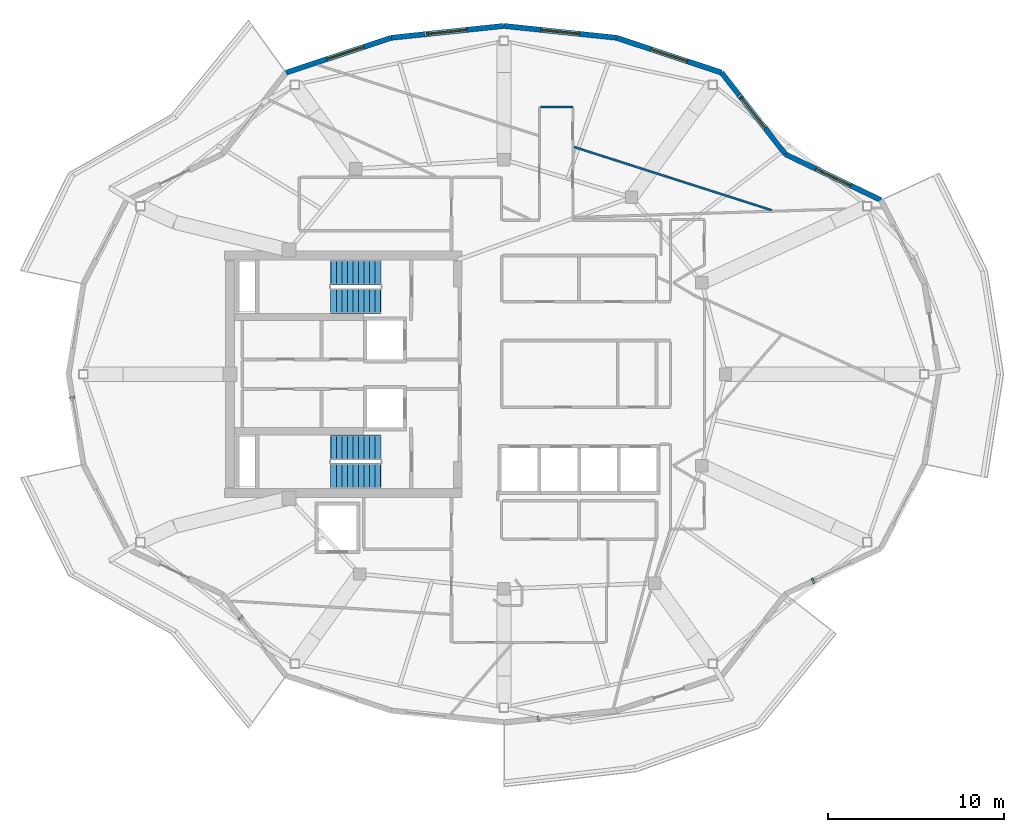
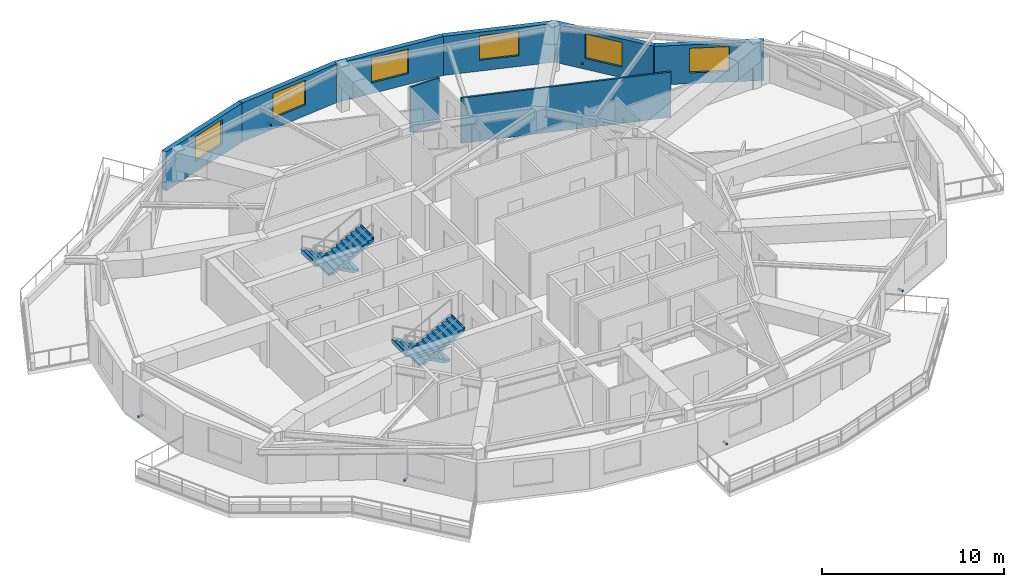
# One storey, part 7 of 11: 8 walls, 6 discrete accessories, 6 windows, 4 stair flights, 6 openings, 2 elements without a shape of their own.
"""IFC4 building model written with IfcOpenShell, lengths in metres."""

from ifc_helpers import new_model, si_unit, direction, frame, frame_2d, origin, origin_2d, place, context, subcontext, project, spatial, polyline, rectangle, outline, extrude, material, layer, layer_set, type_object, element, fill, aggregate, save


model = new_model("IFC4")

# Units and contexts
model_context = context("Model", 3, precision=1e-05, world=origin(), true_north=direction((0.0, 1.0)))
body_context = subcontext(model_context, "Body", "Model", "MODEL_VIEW")
ifc_project = project(units=[si_unit("LENGTHUNIT", "METRE"), si_unit("AREAUNIT", "SQUARE_METRE"), si_unit("VOLUMEUNIT", "CUBIC_METRE"), si_unit("PLANEANGLEUNIT", "RADIAN"), si_unit("MASSUNIT", "GRAM", prefix="KILO")], contexts=[model_context])

# Site, building, storey
site_placement = place(None, origin())
site = spatial("IfcSite", under=ifc_project, at=site_placement, CompositionType="ELEMENT")
building_placement = place(site_placement, origin())
building = spatial("IfcBuilding", under=site, at=building_placement, Name="Kolvaren Gate Tower and Convention Centre", CompositionType="ELEMENT")
storey_placement = place(building_placement, frame((0.0, 0.0, 236.0)))
storey = spatial("IfcBuildingStorey", under=building, at=storey_placement, Name="L63", CompositionType="ELEMENT", Elevation=236.0)

# Walls
ifc_material_1 = material(Name="Fire-Rated Acoustic Gypsum Stud Partition", Category="gypsum")
ifc_layer_1 = layer(ifc_material_1, 0.1201171875)
ifc_layer_set_1 = layer_set([ifc_layer_1], Name="Fire-Rated Acoustic Gypsum Stud Partition")
wall_type_1 = type_object("IfcWallType", Name="ARCH-WL-PART-120", PredefinedType="PARTITIONING", material=ifc_layer_set_1)
wall_1_placement = place(storey_placement, frame((32.2119140625, 42.199951171875, 0.0), z_axis=(0.0, 0.0, 1.0), x_axis=(1.0, 0.0, 0.0)))
element("IfcWall", 1, at=wall_1_placement, inside=storey, type_object=wall_type_1, Name="Interior Partition WL-L63-INT-035", PredefinedType="PARTITIONING", context=body_context, shape_type="SweptSolid", body=[
    extrude(rectangle(XDim=1.838134765625, YDim=0.1201171875, at=frame_2d((0.9189453125, 0.0))), origin(), (0.0, 0.0, 1.0), 3.030029296875),
])
wall_2_placement = place(storey_placement, frame((34.112060546875, 39.918212890625, 0.0), z_axis=(0.0, 0.0, 1.0), x_axis=(0.95242438762, -0.304774975789, 0.0)))
element("IfcWall", 2, at=wall_2_placement, inside=storey, type_object=wall_type_1, Name="Interior Partition WL-L63-INT-074", PredefinedType="PARTITIONING", context=body_context, shape_type="SweptSolid", body=[
    extrude(rectangle(XDim=11.790771484375, YDim=0.1201171875, at=frame_2d((5.8955078125, 0.0))), origin(), (0.0, 0.0, 1.0), 3.030029296875),
])

# Wall, opening, window
ifc_material_2 = material(Name="Piedmont Cream Honed Limestone Cladding", Category="masonry")
ifc_layer_2 = layer(ifc_material_2, 0.300048828125)
ifc_layer_set_2 = layer_set([ifc_layer_2], Name="Piedmont Cream Honed Limestone Cladding")
wall_type_2 = type_object("IfcWallType", Name="ARCH-WL-STONE-300", PredefinedType="SOLIDWALL", material=ifc_layer_set_2)
wall_3_placement = place(storey_placement, frame((46.132568359375, 39.50732421875, 0.0), z_axis=(0.0, 0.0, 1.0), x_axis=(0.901348331142, -0.433094892545, 0.0)))
wall_3 = element("IfcWall", 3, at=wall_3_placement, inside=storey, type_object=wall_type_2, Name="Tower L63 Honed Stone Spandrel Wall EW-02", PredefinedType="SOLIDWALL", context=body_context, shape_type="SweptSolid", body=[
    extrude(rectangle(XDim=6.0205078125, YDim=0.300048828125, at=frame_2d((3.01025390625, 0.0))), origin(), (0.0, 0.0, 1.0), 2.60498046875),
])
opening_1_placement = place(wall_3_placement, frame((1.909912109375, 0.0, 0.719970703125)))
opening_1 = element("IfcOpeningElement", 4, at=opening_1_placement, cuts=wall_3, Name="Opening W-03", PredefinedType="OPENING", context=body_context, shape_type="SweptSolid", body=[
    extrude(rectangle(XDim=2.199951171875, YDim=1.64990234375, at=frame_2d((1.10009765625, 0.824951171875))), frame((0.0, 0.159912109375, 0.0), z_axis=(0.0, -1.0, 0.0), x_axis=(1.0, 0.0, 0.0)), (0.0, 0.0, 1.0), 0.320068359375),
])
ifc_material_3 = material(Name="Low-E Triple Insulated Glazing Unit 44 mm", Category="glass")
window_type = type_object("IfcWindowType", Name="ARCH-WN-RES-2200", PartitioningType="SINGLE_PANEL", PredefinedType="WINDOW", material=ifc_material_3)
window_1_placement = place(opening_1_placement, origin())
window_1 = element("IfcWindow", 5, at=window_1_placement, inside=storey, type_object=window_type, Name="Tower L63 Punched Stone Facade Window W-02", OverallHeight=1.64990234375, OverallWidth=2.199951171875, PartitioningType="SINGLE_PANEL", PredefinedType="WINDOW", context=body_context, shape_type="SweptSolid", body=[
    extrude(rectangle(XDim=2.199951171875, YDim=1.64990234375, at=frame_2d((1.10009765625, 0.824951171875))), frame((0.0, 0.030029296875, 0.0), z_axis=(0.0, -1.0, 0.0), x_axis=(1.0, 0.0, 0.0)), (0.0, 0.0, 1.0), 0.06005859375),
])
fill(opening_1, window_1)

wall_4_placement = place(storey_placement, frame((42.5, 44.147216796875, 0.0), z_axis=(0.0, 0.0, 1.0), x_axis=(0.616450126935, -0.787393955401, 0.0)))
wall_4 = element("IfcWall", 6, at=wall_4_placement, inside=storey, type_object=wall_type_2, Name="Tower L63 Honed Stone Spandrel Wall EW-03", PredefinedType="SOLIDWALL", context=body_context, shape_type="SweptSolid", body=[
    extrude(rectangle(XDim=5.892822265625, YDim=0.300048828125, at=frame_2d((2.9462890625, 0.0))), origin(), (0.0, 0.0, 1.0), 2.60498046875),
])
opening_2_placement = place(wall_4_placement, frame((1.845947265625, 0.0, 0.719970703125)))
opening_2 = element("IfcOpeningElement", 7, at=opening_2_placement, cuts=wall_4, Name="Opening W-03", PredefinedType="OPENING", context=body_context, shape_type="SweptSolid", body=[
    extrude(rectangle(XDim=2.199951171875, YDim=1.64990234375, at=frame_2d((1.10009765625, 0.824951171875))), frame((0.0, 0.159912109375, 0.0), z_axis=(0.0, -1.0, 0.0), x_axis=(1.0, 0.0, 0.0)), (0.0, 0.0, 1.0), 0.320068359375),
])
window_2_placement = place(opening_2_placement, origin())
window_2 = element("IfcWindow", 8, at=window_2_placement, inside=storey, type_object=window_type, Name="Tower L63 Punched Stone Facade Window W-03", OverallHeight=1.64990234375, OverallWidth=2.199951171875, PartitioningType="SINGLE_PANEL", PredefinedType="WINDOW", context=body_context, shape_type="SweptSolid", body=[
    extrude(rectangle(XDim=2.199951171875, YDim=1.64990234375, at=frame_2d((1.10009765625, 0.824951171875))), frame((0.0, 0.030029296875, 0.0), z_axis=(0.0, -1.0, 0.0), x_axis=(1.0, 0.0, 0.0)), (0.0, 0.0, 1.0), 0.06005859375),
])
fill(opening_2, window_2)

wall_5_placement = place(storey_placement, frame((36.53076171875, 46.125244140625, 0.0), z_axis=(0.0, 0.0, 1.0), x_axis=(0.949240877604, -0.314550085495, 0.0)))
wall_5 = element("IfcWall", 9, at=wall_5_placement, inside=storey, type_object=wall_type_2, Name="Tower L63 Honed Stone Spandrel Wall EW-04", PredefinedType="SOLIDWALL", context=body_context, shape_type="SweptSolid", body=[
    extrude(rectangle(XDim=6.288330078125, YDim=0.300048828125, at=frame_2d((3.14404296875, 0.0))), origin(), (0.0, 0.0, 1.0), 2.60498046875),
])
opening_3_placement = place(wall_5_placement, frame((2.0439453125, 0.0, 0.719970703125)))
opening_3 = element("IfcOpeningElement", 10, at=opening_3_placement, cuts=wall_5, Name="Opening W-03", PredefinedType="OPENING", context=body_context, shape_type="SweptSolid", body=[
    extrude(rectangle(XDim=2.199951171875, YDim=1.64990234375, at=frame_2d((1.10009765625, 0.824951171875))), frame((0.0, 0.159912109375, 0.0), z_axis=(0.0, -1.0, 0.0), x_axis=(1.0, 0.0, 0.0)), (0.0, 0.0, 1.0), 0.320068359375),
])
window_3_placement = place(opening_3_placement, origin())
window_3 = element("IfcWindow", 11, at=window_3_placement, inside=storey, type_object=window_type, Name="Tower L63 Punched Stone Facade Window W-04", OverallHeight=1.64990234375, OverallWidth=2.199951171875, PartitioningType="SINGLE_PANEL", PredefinedType="WINDOW", context=body_context, shape_type="SweptSolid", body=[
    extrude(rectangle(XDim=2.199951171875, YDim=1.64990234375, at=frame_2d((1.10009765625, 0.824951171875))), frame((0.0, 0.030029296875, 0.0), z_axis=(0.0, -1.0, 0.0), x_axis=(1.0, 0.0, 0.0)), (0.0, 0.0, 1.0), 0.06005859375),
])
fill(opening_3, window_3)

wall_6_placement = place(storey_placement, frame((30.125, 46.800048828125, 0.0), z_axis=(0.0, 0.0, 1.0), x_axis=(0.994497142298, -0.104763705363, 0.0)))
wall_6 = element("IfcWall", 12, at=wall_6_placement, inside=storey, type_object=wall_type_2, Name="Tower L63 Honed Stone Spandrel Wall EW-05", PredefinedType="SOLIDWALL", context=body_context, shape_type="SweptSolid", body=[
    extrude(rectangle(XDim=6.441162109375, YDim=0.300048828125, at=frame_2d((3.220703125, 0.0))), origin(), (0.0, 0.0, 1.0), 2.60498046875),
])
opening_4_placement = place(wall_6_placement, frame((2.12109375, 0.0, 0.719970703125)))
opening_4 = element("IfcOpeningElement", 13, at=opening_4_placement, cuts=wall_6, Name="Opening W-03", PredefinedType="OPENING", context=body_context, shape_type="SweptSolid", body=[
    extrude(rectangle(XDim=2.199951171875, YDim=1.64990234375, at=frame_2d((1.10009765625, 0.824951171875))), frame((0.0, 0.159912109375, 0.0), z_axis=(0.0, -1.0, 0.0), x_axis=(1.0, 0.0, 0.0)), (0.0, 0.0, 1.0), 0.320068359375),
])
window_4_placement = place(opening_4_placement, origin())
window_4 = element("IfcWindow", 14, at=window_4_placement, inside=storey, type_object=window_type, Name="Tower L63 Punched Stone Facade Window W-05", OverallHeight=1.64990234375, OverallWidth=2.199951171875, PartitioningType="SINGLE_PANEL", PredefinedType="WINDOW", context=body_context, shape_type="SweptSolid", body=[
    extrude(rectangle(XDim=2.199951171875, YDim=1.64990234375, at=frame_2d((1.10009765625, 0.824951171875))), frame((0.0, 0.030029296875, 0.0), z_axis=(0.0, -1.0, 0.0), x_axis=(1.0, 0.0, 0.0)), (0.0, 0.0, 1.0), 0.06005859375),
])
fill(opening_4, window_4)

wall_7_placement = place(storey_placement, frame((23.71923828125, 46.125244140625, 0.0), z_axis=(0.0, 0.0, 1.0), x_axis=(0.994497142298, 0.104763705363, 0.0)))
wall_7 = element("IfcWall", 15, at=wall_7_placement, inside=storey, type_object=wall_type_2, Name="Tower L63 Honed Stone Spandrel Wall EW-06", PredefinedType="SOLIDWALL", context=body_context, shape_type="SweptSolid", body=[
    extrude(rectangle(XDim=6.441162109375, YDim=0.300048828125, at=frame_2d((3.220703125, 0.0))), origin(), (0.0, 0.0, 1.0), 2.60498046875),
])
opening_5_placement = place(wall_7_placement, frame((2.12109375, 0.0, 0.719970703125)))
opening_5 = element("IfcOpeningElement", 16, at=opening_5_placement, cuts=wall_7, Name="Opening W-03", PredefinedType="OPENING", context=body_context, shape_type="SweptSolid", body=[
    extrude(rectangle(XDim=2.199951171875, YDim=1.64990234375, at=frame_2d((1.10009765625, 0.824951171875))), frame((0.0, 0.159912109375, 0.0), z_axis=(0.0, -1.0, 0.0), x_axis=(1.0, 0.0, 0.0)), (0.0, 0.0, 1.0), 0.320068359375),
])
window_5_placement = place(opening_5_placement, origin())
window_5 = element("IfcWindow", 17, at=window_5_placement, inside=storey, type_object=window_type, Name="Tower L63 Punched Stone Facade Window W-06", OverallHeight=1.64990234375, OverallWidth=2.199951171875, PartitioningType="SINGLE_PANEL", PredefinedType="WINDOW", context=body_context, shape_type="SweptSolid", body=[
    extrude(rectangle(XDim=2.199951171875, YDim=1.64990234375, at=frame_2d((1.10009765625, 0.824951171875))), frame((0.0, 0.030029296875, 0.0), z_axis=(0.0, -1.0, 0.0), x_axis=(1.0, 0.0, 0.0)), (0.0, 0.0, 1.0), 0.06005859375),
])
fill(opening_5, window_5)

wall_8_placement = place(storey_placement, frame((17.75, 44.147216796875, 0.0), z_axis=(0.0, 0.0, 1.0), x_axis=(0.949240877604, 0.314550085495, 0.0)))
wall_8 = element("IfcWall", 18, at=wall_8_placement, inside=storey, type_object=wall_type_2, Name="Tower L63 Honed Stone Spandrel Wall EW-07", PredefinedType="SOLIDWALL", context=body_context, shape_type="SweptSolid", body=[
    extrude(rectangle(XDim=6.288330078125, YDim=0.300048828125, at=frame_2d((3.14404296875, 0.0))), origin(), (0.0, 0.0, 1.0), 2.60498046875),
])
opening_6_placement = place(wall_8_placement, frame((2.449951171875, 0.0, 0.719970703125)))
opening_6 = element("IfcOpeningElement", 19, at=opening_6_placement, cuts=wall_8, Name="Opening W-03", PredefinedType="OPENING", context=body_context, shape_type="SweptSolid", body=[
    extrude(rectangle(XDim=2.199951171875, YDim=1.64990234375, at=frame_2d((1.10009765625, 0.824951171875))), frame((0.0, 0.159912109375, 0.0), z_axis=(0.0, -1.0, 0.0), x_axis=(1.0, 0.0, 0.0)), (0.0, 0.0, 1.0), 0.320068359375),
])
window_6_placement = place(opening_6_placement, origin())
window_6 = element("IfcWindow", 20, at=window_6_placement, inside=storey, type_object=window_type, Name="Tower L63 Punched Stone Facade Window W-07", OverallHeight=1.64990234375, OverallWidth=2.199951171875, PartitioningType="SINGLE_PANEL", PredefinedType="WINDOW", context=body_context, shape_type="SweptSolid", body=[
    extrude(rectangle(XDim=2.199951171875, YDim=1.64990234375, at=frame_2d((1.10009765625, 0.824951171875))), frame((0.0, 0.030029296875, 0.0), z_axis=(0.0, -1.0, 0.0), x_axis=(1.0, 0.0, 0.0)), (0.0, 0.0, 1.0), 0.06005859375),
])
fill(opening_6, window_6)

# Stair, stair flights
ifc_material_4 = material(Name="Concrete C50/60", Category="concrete")
stair_type = type_object("IfcStairType", Name="STR-STAIR-CORE", PredefinedType="HALF_TURN_STAIR", material=ifc_material_4)
stair_1_placement = place(storey_placement, origin())
stair_1 = element("IfcStair", 21, at=stair_1_placement, inside=storey, type_object=stair_type, Name="L63 Tower North Exit Stair ST-T1", PredefinedType="HALF_TURN_STAIR")
stair_flight_type = type_object("IfcStairFlightType", Name="STR-SFL-1420", PredefinedType="STRAIGHT", material=ifc_material_4)
stair_flight_1_placement = place(storey_placement, frame((23.10009765625, 32.7900390625, 0.0), z_axis=(0.0, 0.0, 1.0), x_axis=(-1.0, 0.0, 0.0)))
stair_flight_1 = element("IfcStairFlight", 22, at=stair_flight_1_placement, type_object=stair_flight_type, Name="ST-T1 flight 1", NumberOfRisers=10, NumberOfTreads=9, PredefinedType="STRAIGHT", RiserHeight=0.165, TreadLength=0.31, context=body_context, shape_type="SweptSolid", body=[
    extrude(outline(polyline([(-0.034912109375, 0.0), (-0.034912109375, 0.1650390625), (0.31005859375, 0.1650390625), (0.31005859375, 0.330078125), (0.6201171875, 0.330078125), (0.6201171875, 0.4951171875), (0.929931640625, 0.4951171875), (0.929931640625, 0.659912109375), (1.239990234375, 0.659912109375), (1.239990234375, 0.824951171875), (1.550048828125, 0.824951171875), (1.550048828125, 0.989990234375), (1.860107421875, 0.989990234375), (1.860107421875, 1.155029296875), (2.169921875, 1.155029296875), (2.169921875, 1.320068359375), (2.47998046875, 1.320068359375), (2.47998046875, 1.485107421875), (2.7900390625, 1.485107421875), (2.7900390625, 1.64990234375), (2.8349609375, 1.64990234375), (2.8349609375, 1.489990234375), (2.7900390625, 1.315185546875), (0.319091796875, 0.0), (-0.034912109375, 0.0)])), frame((0.0, 0.7099609375, 0.0), z_axis=(0.0, -1.0, 0.0), x_axis=(1.0, 0.0, 0.0)), (0.0, 0.0, 1.0), 1.419921875),
])
stair_flight_2_placement = place(storey_placement, frame((20.31005859375, 31.169921875, 1.64990234375), z_axis=(0.0, 0.0, 1.0), x_axis=(1.0, 0.0, 0.0)))
stair_flight_2 = element("IfcStairFlight", 23, at=stair_flight_2_placement, type_object=stair_flight_type, Name="ST-T1 flight 2", NumberOfRisers=10, NumberOfTreads=9, PredefinedType="STRAIGHT", RiserHeight=0.165, TreadLength=0.31, context=body_context, shape_type="SweptSolid", body=[
    extrude(outline(polyline([(-0.034912109375, 0.0), (-0.034912109375, 0.1650390625), (0.31005859375, 0.1650390625), (0.31005859375, 0.330078125), (0.6201171875, 0.330078125), (0.6201171875, 0.4951171875), (0.929931640625, 0.4951171875), (0.929931640625, 0.659912109375), (1.239990234375, 0.659912109375), (1.239990234375, 0.824951171875), (1.550048828125, 0.824951171875), (1.550048828125, 0.989990234375), (1.860107421875, 0.989990234375), (1.860107421875, 1.155029296875), (2.169921875, 1.155029296875), (2.169921875, 1.320068359375), (2.47998046875, 1.320068359375), (2.47998046875, 1.485107421875), (2.7900390625, 1.485107421875), (2.7900390625, 1.64990234375), (2.8349609375, 1.64990234375), (2.8349609375, 1.489990234375), (2.7900390625, 1.315185546875), (0.319091796875, 0.0), (-0.034912109375, 0.0)])), frame((0.0, 0.7099609375, 0.0), z_axis=(0.0, -1.0, 0.0), x_axis=(1.0, 0.0, 0.0)), (0.0, 0.0, 1.0), 1.419921875),
])
aggregate(stair_1, [stair_flight_1, stair_flight_2])

stair_2_placement = place(storey_placement, origin())
stair_2 = element("IfcStair", 24, at=stair_2_placement, inside=storey, type_object=stair_type, Name="L63 Tower South Exit Stair ST-T2", PredefinedType="HALF_TURN_STAIR")
stair_flight_3_placement = place(storey_placement, frame((23.10009765625, 22.830078125, 0.0), z_axis=(0.0, 0.0, 1.0), x_axis=(-1.0, 0.0, 0.0)))
stair_flight_3 = element("IfcStairFlight", 25, at=stair_flight_3_placement, type_object=stair_flight_type, Name="ST-T2 flight 1", NumberOfRisers=10, NumberOfTreads=9, PredefinedType="STRAIGHT", RiserHeight=0.165, TreadLength=0.31, context=body_context, shape_type="SweptSolid", body=[
    extrude(outline(polyline([(-0.034912109375, 0.0), (-0.034912109375, 0.1650390625), (0.31005859375, 0.1650390625), (0.31005859375, 0.330078125), (0.6201171875, 0.330078125), (0.6201171875, 0.4951171875), (0.929931640625, 0.4951171875), (0.929931640625, 0.659912109375), (1.239990234375, 0.659912109375), (1.239990234375, 0.824951171875), (1.550048828125, 0.824951171875), (1.550048828125, 0.989990234375), (1.860107421875, 0.989990234375), (1.860107421875, 1.155029296875), (2.169921875, 1.155029296875), (2.169921875, 1.320068359375), (2.47998046875, 1.320068359375), (2.47998046875, 1.485107421875), (2.7900390625, 1.485107421875), (2.7900390625, 1.64990234375), (2.8349609375, 1.64990234375), (2.8349609375, 1.489990234375), (2.7900390625, 1.315185546875), (0.319091796875, 0.0), (-0.034912109375, 0.0)])), frame((0.0, 0.7099609375, 0.0), z_axis=(0.0, -1.0, 0.0), x_axis=(1.0, 0.0, 0.0)), (0.0, 0.0, 1.0), 1.419921875),
])
stair_flight_4_placement = place(storey_placement, frame((20.31005859375, 21.2099609375, 1.64990234375), z_axis=(0.0, 0.0, 1.0), x_axis=(1.0, 0.0, 0.0)))
stair_flight_4 = element("IfcStairFlight", 26, at=stair_flight_4_placement, type_object=stair_flight_type, Name="ST-T2 flight 2", NumberOfRisers=10, NumberOfTreads=9, PredefinedType="STRAIGHT", RiserHeight=0.165, TreadLength=0.31, context=body_context, shape_type="SweptSolid", body=[
    extrude(outline(polyline([(-0.034912109375, 0.0), (-0.034912109375, 0.1650390625), (0.31005859375, 0.1650390625), (0.31005859375, 0.330078125), (0.6201171875, 0.330078125), (0.6201171875, 0.4951171875), (0.929931640625, 0.4951171875), (0.929931640625, 0.659912109375), (1.239990234375, 0.659912109375), (1.239990234375, 0.824951171875), (1.550048828125, 0.824951171875), (1.550048828125, 0.989990234375), (1.860107421875, 0.989990234375), (1.860107421875, 1.155029296875), (2.169921875, 1.155029296875), (2.169921875, 1.320068359375), (2.47998046875, 1.320068359375), (2.47998046875, 1.485107421875), (2.7900390625, 1.485107421875), (2.7900390625, 1.64990234375), (2.8349609375, 1.64990234375), (2.8349609375, 1.489990234375), (2.7900390625, 1.315185546875), (0.319091796875, 0.0), (-0.034912109375, 0.0)])), frame((0.0, 0.7099609375, 0.0), z_axis=(0.0, -1.0, 0.0), x_axis=(1.0, 0.0, 0.0)), (0.0, 0.0, 1.0), 1.419921875),
])
aggregate(stair_2, [stair_flight_3, stair_flight_4])

# Discrete accessories
ifc_material_5 = material(Name="Anodized Architectural Aluminium Alloy 6063-T6", Category="aluminium")
discrete_accessory_type = type_object("IfcDiscreteAccessoryType", Name="ARCH-ACC-BRACKET-120", PredefinedType="BRACKET", material=ifc_material_5)
for number, where, z_axis, x_axis, name in (
    (27, (43.539306640625, 42.819580078125, 0.2900390625), (0.0, 0.0, 1.0), (0.616434119112, -0.787406487651, 0.0), "Ceramic Fin Wall Anchor Bracket FBK-L63-03"),
    (28, (25.66943359375, 46.330810546875, 0.2900390625), (0.0, 0.0, 1.0), (0.994498884311, 0.104747167526, 0.0), "Ceramic Fin Wall Anchor Bracket FBK-L63-06"),
    (29, (5.592041015625, 25.6806640625, 0.2900390625), (0.0, 0.0, 1.0), (0.162375401515, -0.986729055508, 0.0), "Ceramic Fin Wall Anchor Bracket FBK-L63-12"),
    (30, (15.15673828125, 13.1650390625, 0.2900390625), (0.0, 0.0, 1.0), (0.616434119112, -0.787406487651, 0.0), "Ceramic Fin Wall Anchor Bracket FBK-L63-15"),
    (31, (32.0751953125, 7.405517578125, 0.2900390625), (0.0, 0.0, 1.0), (0.994498884311, 0.104747167526, 0.0), "Ceramic Fin Wall Anchor Bracket FBK-L63-18"),
    (32, (47.7099609375, 15.25048828125, 0.2900390625), (0.0, 0.0, 1.0), (0.90135914581, 0.433072384555, 0.0), "Ceramic Fin Wall Anchor Bracket FBK-L63-21"),
):
    element("IfcDiscreteAccessory", number, at=place(storey_placement, frame(where, z_axis=z_axis, x_axis=x_axis)), inside=storey, type_object=discrete_accessory_type, Name=name, PredefinedType="BRACKET", context=body_context, shape_type="SweptSolid", body=[
        extrude(rectangle(XDim=0.1201171875, YDim=0.320068359375, at=origin_2d()), origin(), (0.0, 0.0, 1.0), 0.1201171875),
    ])

save(model, "model.ifc")
